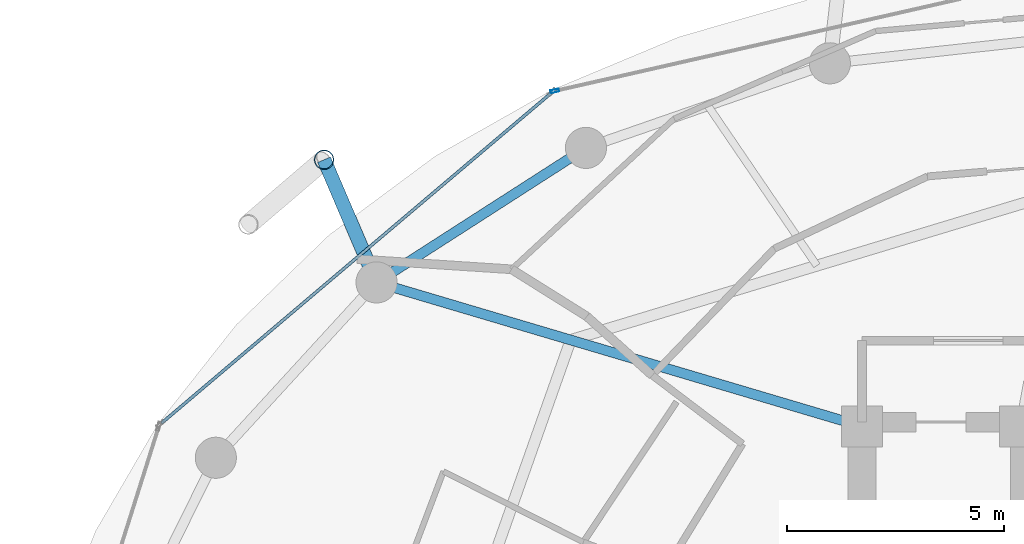
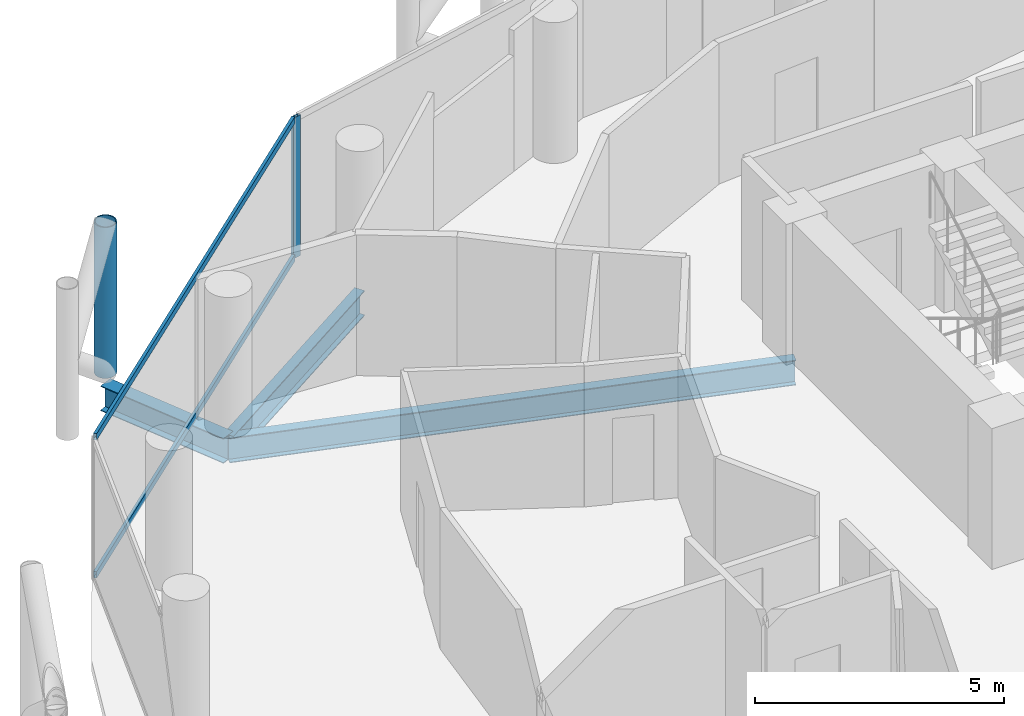
# One storey, part 14 of 26: 4 members, 3 beams, 2 elements without a shape of their own.
"""IFC4 building model written with IfcOpenShell, lengths in metres."""

from ifc_helpers import new_model, si_unit, direction, frame, origin, origin_2d, place, context, subcontext, project, spatial, hollow_rectangle, hollow_circle, i_section, extrude, material, layer, layer_set, material_profile, profile_set, type_object, element, aggregate, save


model = new_model("IFC4")

# Units and contexts
model_context = context("Model", 3, precision=1e-05, world=origin(), true_north=direction((0.0, 1.0)))
body_context = subcontext(model_context, "Body", "Model", "MODEL_VIEW")
ifc_project = project(units=[si_unit("LENGTHUNIT", "METRE"), si_unit("AREAUNIT", "SQUARE_METRE"), si_unit("VOLUMEUNIT", "CUBIC_METRE"), si_unit("PLANEANGLEUNIT", "RADIAN"), si_unit("MASSUNIT", "GRAM", prefix="KILO")], contexts=[model_context])

# Site, building, storey
site_placement = place(None, origin())
site = spatial("IfcSite", under=ifc_project, at=site_placement, CompositionType="ELEMENT")
building_placement = place(site_placement, origin())
building = spatial("IfcBuilding", under=site, at=building_placement, Name="Nuhasar Tower", CompositionType="ELEMENT")
storey_placement = place(building_placement, frame((0.0, 0.0, 170.050048828125)))
storey = spatial("IfcBuildingStorey", under=building, at=storey_placement, Name="L41", CompositionType="ELEMENT", Elevation=170.050048828125)

# Beams
ifc_material_1 = material(Name="Steel S355", Category="steel")
ifc_material_profile_1 = material_profile(ifc_material_1, i_section(OverallWidth=0.22900390625, OverallDepth=0.612060546875, WebThickness=0.011962890625, FlangeThickness=0.01953125, at=origin_2d()), Name="W24X84")
ifc_profile_set_1 = profile_set([ifc_material_profile_1], Name="Steel S355")
beam_type_1 = type_object("IfcBeamType", Name="BM-RAD-W24X84", PredefinedType="BEAM", material=ifc_profile_set_1)
beam_1_placement = place(storey_placement, frame((33.699951171875, 37.300048828125, -0.55615234375), z_axis=(-0.958746492721, 0.284262489076, 0.0), x_axis=(-0.284262489076, -0.958746492721, 0.0)))
element("IfcBeam", 1, at=beam_1_placement, inside=storey, type_object=beam_type_1, Name="L41 Radial Floor Girder 07", PredefinedType="BEAM", context=body_context, shape_type="SweptSolid", body=[
    extrude(i_section(OverallWidth=0.22900390625, OverallDepth=0.612060546875, WebThickness=0.011962890625, FlangeThickness=0.01953125, at=origin_2d()), origin(), (0.0, 0.0, 1.0), 11.693359375),
])
ifc_material_profile_2 = material_profile(ifc_material_1, i_section(OverallWidth=0.22998046875, OverallDepth=0.616943359375, WebThickness=0.01318359375, FlangeThickness=0.022216796875, at=origin_2d()), Name="W24X94")
ifc_profile_set_2 = profile_set([ifc_material_profile_2], Name="Steel S355")
beam_type_2 = type_object("IfcBeamType", Name="BM-RING-W24X94", PredefinedType="SPANDREL", material=ifc_profile_set_2)
beam_2_placement = place(storey_placement, frame((27.324951171875, 43.73095703125, -0.55810546875), z_axis=(-0.841327486207, -0.540525726448, 0.0), x_axis=(0.540525726448, -0.841327486207, 0.0)))
element("IfcBeam", 2, at=beam_2_placement, inside=storey, type_object=beam_type_2, Name="L41 Perimeter Ring Spandrel 09", PredefinedType="SPANDREL", context=body_context, shape_type="SweptSolid", body=[
    extrude(i_section(OverallWidth=0.22998046875, OverallDepth=0.616943359375, WebThickness=0.01318359375, FlangeThickness=0.022216796875, at=origin_2d()), origin(), (0.0, 0.0, 1.0), 5.748046875),
])
ifc_material_profile_3 = material_profile(ifc_material_1, i_section(OverallWidth=0.323974609375, OverallDepth=0.611083984375, WebThickness=0.0126953125, FlangeThickness=0.01904296875, at=origin_2d()), Name="W24X104")
ifc_profile_set_3 = profile_set([ifc_material_profile_3], Name="Steel S355")
beam_type_3 = type_object("IfcBeamType", Name="BM-TIE-W24X104", PredefinedType="BEAM", material=ifc_profile_set_3)
beam_3_placement = place(storey_placement, frame((22.489013671875, 40.6240234375, -0.554931640625), z_axis=(-0.39330721304, 0.919407111225, 0.0), x_axis=(-0.919407111225, -0.39330721304, 0.0)))
element("IfcBeam", 3, at=beam_3_placement, inside=storey, type_object=beam_type_3, Name="L41 Exoskeleton Node Tie Beam 05", PredefinedType="BEAM", context=body_context, shape_type="SweptSolid", body=[
    extrude(i_section(OverallWidth=0.323974609375, OverallDepth=0.611083984375, WebThickness=0.0126953125, FlangeThickness=0.01904296875, at=origin_2d()), origin(), (0.0, 0.0, 1.0), 3.081298828125),
])

# Curtain wall, member
ifc_material_2 = material(Name="Aluminium 6063-T6", Category="aluminium")
ifc_layer = layer(ifc_material_2, 0.199951171875)
ifc_layer_set = layer_set([ifc_layer], Name="Aluminium 6063-T6")
curtain_wall_type = type_object("IfcCurtainWallType", Name="CW-Z2-HTL", PredefinedType="NOTDEFINED", material=ifc_layer_set)
curtain_wall_1_placement = place(storey_placement, origin())
curtain_wall_1 = element("IfcCurtainWall", 4, at=curtain_wall_1_placement, inside=storey, type_object=curtain_wall_type, Name="L41 Unitised Curtain Wall 04", PredefinedType="NOTDEFINED")
ifc_material_profile_4 = material_profile(ifc_material_2, hollow_rectangle(XDim=0.070068359375, YDim=0.199951171875, WallThickness=0.0048828125, at=origin_2d()), Name="CWM-3")
ifc_profile_set_4 = profile_set([ifc_material_profile_4], Name="Aluminium 6063-T6")
member_type_1 = type_object("IfcMemberType", Name="CW-MUL-S3", PredefinedType="MULLION", material=ifc_profile_set_4)
member_1_placement = place(storey_placement, frame((26.604248046875, 45.045654296875, 0.0), z_axis=(0.0, 0.0, 1.0), x_axis=(0.22139729566, -0.975183694221, 0.0)))
member_1 = element("IfcMember", 5, at=member_1_placement, type_object=member_type_1, Name="CW-Z2 mullion 2", PredefinedType="MULLION", context=body_context, shape_type="SweptSolid", body=[
    extrude(hollow_rectangle(XDim=0.070068359375, YDim=0.199951171875, WallThickness=0.0048828125, at=origin_2d()), origin(), (0.0, 0.0, 1.0), 3.449951171875),
])
aggregate(curtain_wall_1, [member_1])

# Curtain wall, members
curtain_wall_2_placement = place(storey_placement, origin())
curtain_wall_2 = element("IfcCurtainWall", 6, at=curtain_wall_2_placement, inside=storey, type_object=curtain_wall_type, Name="L41 Unitised Curtain Wall 05", PredefinedType="NOTDEFINED")
ifc_material_profile_5 = material_profile(ifc_material_2, hollow_rectangle(XDim=0.070068359375, YDim=0.159912109375, WallThickness=0.00439453125, at=origin_2d()), Name="CWT-3")
ifc_profile_set_5 = profile_set([ifc_material_profile_5], Name="Aluminium 6063-T6")
member_type_2 = type_object("IfcMemberType", Name="CW-TRN-S3", PredefinedType="USERDEFINED", material=ifc_profile_set_5)
member_2_placement = place(storey_placement, frame((26.5166015625, 44.99267578125, 0.034912109375), z_axis=(-0.763023915269, -0.646370253592, 0.0), x_axis=(0.646370253592, -0.763023915269, 0.0)))
member_2 = element("IfcMember", 7, at=member_2_placement, type_object=member_type_2, Name="CW-Z2 transom 1.1", ObjectType="TRANSOM", PredefinedType="USERDEFINED", context=body_context, shape_type="SweptSolid", body=[
    extrude(hollow_rectangle(XDim=0.070068359375, YDim=0.159912109375, WallThickness=0.00439453125, at=origin_2d()), origin(), (0.0, 0.0, 1.0), 11.784912109375),
])
member_3_placement = place(storey_placement, frame((26.5166015625, 44.99267578125, 3.4150390625), z_axis=(-0.763023915269, -0.646370253592, 0.0), x_axis=(0.646370253592, -0.763023915269, 0.0)))
member_3 = element("IfcMember", 8, at=member_3_placement, type_object=member_type_2, Name="CW-Z2 transom 1.2", ObjectType="TRANSOM", PredefinedType="USERDEFINED", context=body_context, shape_type="SweptSolid", body=[
    extrude(hollow_rectangle(XDim=0.070068359375, YDim=0.159912109375, WallThickness=0.00439453125, at=origin_2d()), origin(), (0.0, 0.0, 1.0), 11.784912109375),
])
aggregate(curtain_wall_2, [member_2, member_3])

# Member
ifc_material_3 = material(Name="Steel S460", Category="steel")
ifc_material_profile_6 = material_profile(ifc_material_3, hollow_circle(Radius=0.228515625, WallThickness=0.022216796875, at=origin_2d()), Name="HSS457X22.2")
ifc_profile_set_6 = profile_set([ifc_material_profile_6], Name="Steel S460")
member_type_3 = type_object("IfcMemberType", Name="EXO-BRONZE-457", PredefinedType="BRACE", material=ifc_profile_set_6)
member_4_placement = place(storey_placement, frame((21.277099609375, 43.45703125, 0.0), z_axis=(0.0, 0.0, 1.0), x_axis=(1.0, 0.0, 0.0)))
element("IfcMember", 9, at=member_4_placement, inside=storey, type_object=member_type_3, Name="L41 Exoskeleton Chord Column EC-05A", PredefinedType="BRACE", context=body_context, shape_type="SweptSolid", body=[
    extrude(hollow_circle(Radius=0.228515625, WallThickness=0.022216796875, at=origin_2d()), origin(), (0.0, 0.0, 1.0), 3.699951171875),
])

save(model, "model.ifc")
